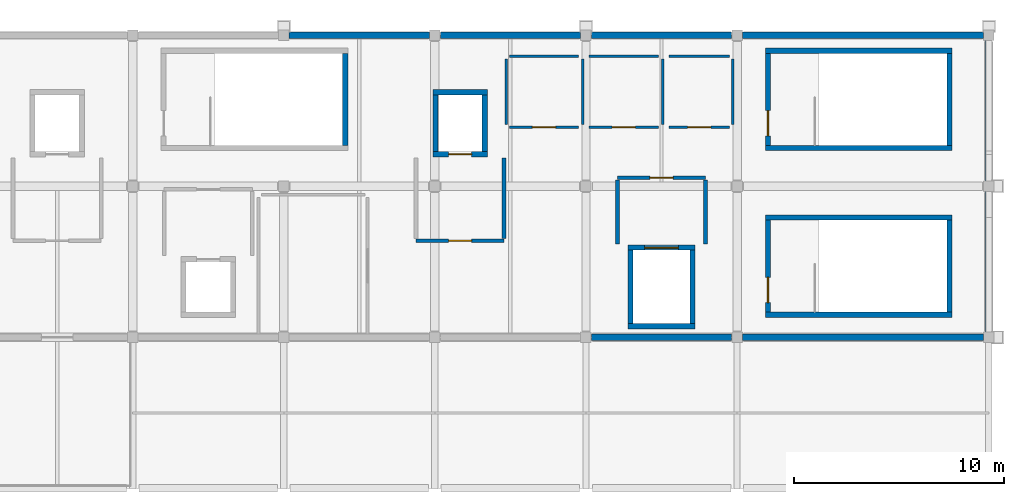
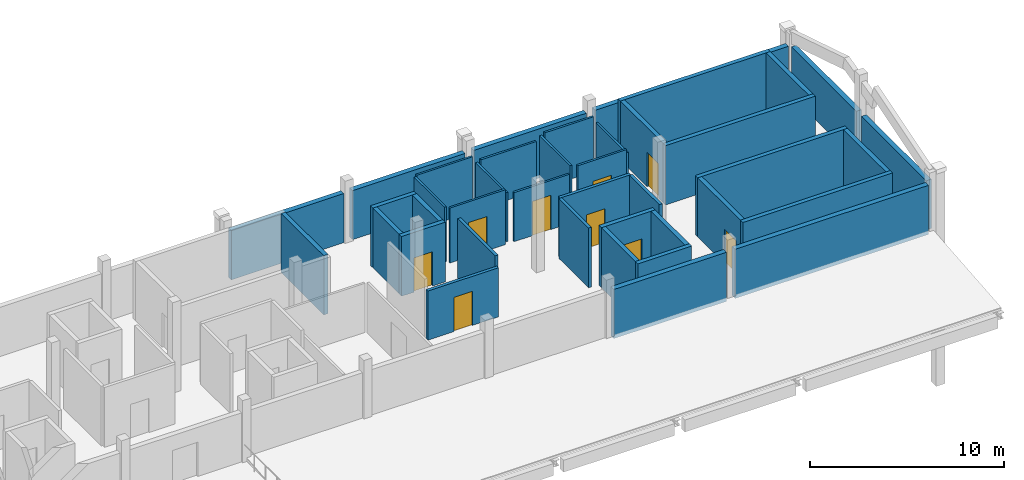
# One storey, part 6 of 8: 40 walls, 9 doors, 9 openings.
"""IFC4 building model written with IfcOpenShell, lengths in metres."""

from ifc_helpers import new_model, si_unit, direction, frame, frame_2d, origin, place, context, subcontext, project, spatial, rectangle, extrude, material, layer, layer_set, type_object, element, fill, save


model = new_model("IFC4")

# Units and contexts
model_context = context("Model", 3, precision=1e-05, world=origin(), true_north=direction((0.0, 1.0)))
body_context = subcontext(model_context, "Body", "Model", "MODEL_VIEW")
ifc_project = project(units=[si_unit("LENGTHUNIT", "METRE"), si_unit("AREAUNIT", "SQUARE_METRE"), si_unit("VOLUMEUNIT", "CUBIC_METRE"), si_unit("PLANEANGLEUNIT", "RADIAN"), si_unit("MASSUNIT", "GRAM", prefix="KILO")], contexts=[model_context])

# Site, building, storey
site_placement = place(None, origin())
site = spatial("IfcSite", under=ifc_project, at=site_placement, CompositionType="ELEMENT")
building_placement = place(site_placement, origin())
building = spatial("IfcBuilding", under=site, at=building_placement, Name="Cendralis Lancet Convention Centre", CompositionType="ELEMENT")
storey_placement = place(building_placement, frame((0.0, 0.0, 24.60009765625)))
storey = spatial("IfcBuildingStorey", under=building, at=storey_placement, Name="L05", CompositionType="ELEMENT", Elevation=24.60009765625)

# Walls
ifc_material_1 = material(Name="Buff sandstone ashlar and Concrete G40 (C40/50)", Category="masonry")
ifc_layer_1 = layer(ifc_material_1, 0.300048828125, Name="Buff sandstone ashlar and Concrete G40 (C40/50)")
ifc_layer_set_1 = layer_set([ifc_layer_1], Name="Buff sandstone ashlar and Concrete G40 (C40/50)")
wall_type_1 = type_object("IfcWallType", Name="ARC-EW-W300", PredefinedType="STANDARD", material=ifc_layer_set_1)
for number, where, z_axis, x_axis, name in (
    (1, (175.4580078125, 36.0, 0.0), (0.0, 0.0, 1.0), (1.0, 0.0, 0.0), "L05 V5 Exterior Wall EW-07 #0337"),
    (2, (182.657958984375, 36.0, 0.0), (0.0, 0.0, 1.0), (1.0, 0.0, 0.0), "L05 V5 Exterior Wall EW-07 #0341"),
    (3, (189.85791015625, 36.0, 0.0), (0.0, 0.0, 1.0), (1.0, 0.0, 0.0), "L05 V5 Exterior Wall EW-07 #0345"),
    (4, (196.5419921875, 21.60009765625, 0.0), (0.0, 0.0, 1.0), (-1.0, 0.0, 0.0), "L05 V5 Exterior Wall EW-07 #0346"),
):
    element("IfcWall", number, at=place(storey_placement, frame(where, z_axis=z_axis, x_axis=x_axis)), inside=storey, type_object=wall_type_1, Name=name, PredefinedType="STANDARD", context=body_context, shape_type="SweptSolid", body=[
        extrude(rectangle(XDim=6.68408203125, YDim=0.300048828125, at=frame_2d((3.342041015625, 0.0))), origin(), (0.0, 0.0, 1.0), 3.0849609375),
    ])
for number, where, z_axis, x_axis, name in (
    (5, (197.05810546875, 36.0, 0.0), (0.0, 0.0, 1.0), (1.0, 0.0, 0.0), "L05 V5 Exterior Wall EW-07 #0349"),
    (6, (208.5419921875, 21.60009765625, 0.0), (0.0, 0.0, 1.0), (-1.0, 0.0, 0.0), "L05 V5 Exterior Wall EW-07 #0350"),
):
    element("IfcWall", number, at=place(storey_placement, frame(where, z_axis=z_axis, x_axis=x_axis)), inside=storey, type_object=wall_type_1, Name=name, PredefinedType="STANDARD", context=body_context, shape_type="SweptSolid", body=[
        extrude(rectangle(XDim=11.48388671875, YDim=0.300048828125, at=frame_2d((5.741943359375, 0.0))), origin(), (0.0, 0.0, 1.0), 3.0849609375),
    ])
wall_1_placement = place(storey_placement, frame((208.800048828125, 28.5419921875, 0.0), z_axis=(0.0, 0.0, 1.0), x_axis=(0.0, -1.0, 0.0)))
element("IfcWall", 7, at=wall_1_placement, inside=storey, type_object=wall_type_1, Name="L05 V5 Exterior Wall EW-07 #0357", PredefinedType="STANDARD", context=body_context, shape_type="SweptSolid", body=[
    extrude(rectangle(XDim=6.68408203125, YDim=0.300048828125, at=frame_2d((3.342041015625, 0.0))), origin(), (0.0, 0.0, 1.0), 3.0849609375),
])
wall_2_placement = place(storey_placement, frame((208.800048828125, 35.741943359375, 0.0), z_axis=(0.0, 0.0, 1.0), x_axis=(0.0, -1.0, 0.0)))
element("IfcWall", 8, at=wall_2_placement, inside=storey, type_object=wall_type_1, Name="L05 V5 Exterior Wall EW-07 #0359", PredefinedType="STANDARD", context=body_context, shape_type="SweptSolid", body=[
    extrude(rectangle(XDim=6.683837890625, YDim=0.300048828125, at=frame_2d((3.341796875, 0.0))), origin(), (0.0, 0.0, 1.0), 3.0849609375),
])

# Wall, opening, door
ifc_material_2 = material(Name="Acoustic fire-rated gypsum board on steel studs", Category="steel")
ifc_layer_2 = layer(ifc_material_2, 0.1201171875, Name="Acoustic fire-rated gypsum board on steel studs")
ifc_layer_set_2 = layer_set([ifc_layer_2], Name="Acoustic fire-rated gypsum board on steel studs")
wall_type_2 = type_object("IfcWallType", Name="ARC-IW-P120", PredefinedType="PARTITIONING", material=ifc_layer_set_2)
wall_3_placement = place(storey_placement, frame((185.949951171875, 31.60009765625, 0.0), z_axis=(0.0, 0.0, 1.0), x_axis=(1.0, 0.0, 0.0)))
wall_3 = element("IfcWall", 9, at=wall_3_placement, inside=storey, type_object=wall_type_2, Name="L05 Interior Partition IW-05 #0448", PredefinedType="PARTITIONING", context=body_context, shape_type="SweptSolid", body=[
    extrude(rectangle(XDim=3.300048828125, YDim=0.1201171875, at=frame_2d((1.64990234375, 0.0))), origin(), (0.0, 0.0, 1.0), 3.449951171875),
])
opening_1_placement = place(wall_3_placement, frame((1.10009765625, 0.0, 0.0)))
opening_1 = element("IfcOpeningElement", 10, at=opening_1_placement, cuts=wall_3, Name="Opening FD-11", PredefinedType="OPENING", context=body_context, shape_type="SweptSolid", body=[
    extrude(rectangle(XDim=1.10009765625, YDim=2.14990234375, at=frame_2d((0.550048828125, 1.074951171875))), frame((0.0, 0.070068359375, 0.0), z_axis=(0.0, -1.0, 0.0), x_axis=(1.0, 0.0, 0.0)), (0.0, 0.0, 1.0), 0.14013671875),
])
ifc_material_3 = material(Name="Steel S355", Category="steel")
door_type_1 = type_object("IfcDoorType", Name="ARC-DR-FF11", OperationType="NOTDEFINED", PredefinedType="DOOR", material=ifc_material_3)
door_1_placement = place(opening_1_placement, origin())
door_1 = element("IfcDoor", 11, at=door_1_placement, inside=storey, type_object=door_type_1, Name="L05-D005 L05 Interior Door FD-11 #0154", OperationType="SINGLE_SWING_LEFT", OverallHeight=2.14990234375, OverallWidth=1.10009765625, PredefinedType="DOOR", context=body_context, shape_type="SweptSolid", body=[
    extrude(rectangle(XDim=1.10009765625, YDim=2.14990234375, at=frame_2d((0.550048828125, 1.074951171875))), frame((0.0, 0.02490234375, 0.0), z_axis=(0.0, -1.0, 0.0), x_axis=(1.0, 0.0, 0.0)), (0.0, 0.0, 1.0), 0.050048828125),
])
fill(opening_1, door_1)

# Walls
wall_4_placement = place(storey_placement, frame((185.949951171875, 35.0, 0.0), z_axis=(0.0, 0.0, 1.0), x_axis=(1.0, 0.0, 0.0)))
element("IfcWall", 12, at=wall_4_placement, inside=storey, type_object=wall_type_2, Name="L05 Interior Partition IW-05 #0449", PredefinedType="PARTITIONING", context=body_context, shape_type="SweptSolid", body=[
    extrude(rectangle(XDim=3.300048828125, YDim=0.1201171875, at=frame_2d((1.64990234375, 0.0))), origin(), (0.0, 0.0, 1.0), 3.449951171875),
])
wall_5_placement = place(storey_placement, frame((185.800048828125, 31.739990234375, 0.0), z_axis=(0.0, 0.0, 1.0), x_axis=(0.0, 1.0, 0.0)))
element("IfcWall", 13, at=wall_5_placement, inside=storey, type_object=wall_type_2, Name="L05 Interior Partition IW-05 #0450", PredefinedType="PARTITIONING", context=body_context, shape_type="SweptSolid", body=[
    extrude(rectangle(XDim=3.1201171875, YDim=0.1201171875, at=frame_2d((1.56005859375, 0.0))), origin(), (0.0, 0.0, 1.0), 3.449951171875),
])
wall_6_placement = place(storey_placement, frame((189.449951171875, 31.739990234375, 0.0), z_axis=(0.0, 0.0, 1.0), x_axis=(0.0, 1.0, 0.0)))
element("IfcWall", 14, at=wall_6_placement, inside=storey, type_object=wall_type_2, Name="L05 Interior Partition IW-05 #0451", PredefinedType="PARTITIONING", context=body_context, shape_type="SweptSolid", body=[
    extrude(rectangle(XDim=3.1201171875, YDim=0.1201171875, at=frame_2d((1.56005859375, 0.0))), origin(), (0.0, 0.0, 1.0), 3.0849609375),
])

# Wall, opening, door
wall_7_placement = place(storey_placement, frame((189.75, 31.60009765625, 0.0), z_axis=(0.0, 0.0, 1.0), x_axis=(1.0, 0.0, 0.0)))
wall_7 = element("IfcWall", 15, at=wall_7_placement, inside=storey, type_object=wall_type_2, Name="L05 Interior Partition IW-05 #0452", PredefinedType="PARTITIONING", context=body_context, shape_type="SweptSolid", body=[
    extrude(rectangle(XDim=3.300048828125, YDim=0.1201171875, at=frame_2d((1.64990234375, 0.0))), origin(), (0.0, 0.0, 1.0), 3.0849609375),
])
opening_2_placement = place(wall_7_placement, frame((1.10009765625, 0.0, 0.0)))
opening_2 = element("IfcOpeningElement", 16, at=opening_2_placement, cuts=wall_7, Name="Opening FD-11", PredefinedType="OPENING", context=body_context, shape_type="SweptSolid", body=[
    extrude(rectangle(XDim=1.10009765625, YDim=2.14990234375, at=frame_2d((0.550048828125, 1.074951171875))), frame((0.0, 0.070068359375, 0.0), z_axis=(0.0, -1.0, 0.0), x_axis=(1.0, 0.0, 0.0)), (0.0, 0.0, 1.0), 0.14013671875),
])
door_2_placement = place(opening_2_placement, frame((1.10009765625, 0.0, 0.0), z_axis=(0.0, 0.0, 1.0), x_axis=(-1.0, 0.0, 0.0)))
door_2 = element("IfcDoor", 17, at=door_2_placement, inside=storey, type_object=door_type_1, Name="L05-D006 L05 Interior Door FD-11 #0155", OperationType="SINGLE_SWING_RIGHT", OverallHeight=2.14990234375, OverallWidth=1.10009765625, PredefinedType="DOOR", context=body_context, shape_type="SweptSolid", body=[
    extrude(rectangle(XDim=1.10009765625, YDim=2.14990234375, at=frame_2d((0.550048828125, 1.074951171875))), frame((0.0, 0.02490234375, 0.0), z_axis=(0.0, -1.0, 0.0), x_axis=(1.0, 0.0, 0.0)), (0.0, 0.0, 1.0), 0.050048828125),
])
fill(opening_2, door_2)

# Walls
wall_8_placement = place(storey_placement, frame((189.75, 35.0, 0.0), z_axis=(0.0, 0.0, 1.0), x_axis=(1.0, 0.0, 0.0)))
element("IfcWall", 18, at=wall_8_placement, inside=storey, type_object=wall_type_2, Name="L05 Interior Partition IW-05 #0453", PredefinedType="PARTITIONING", context=body_context, shape_type="SweptSolid", body=[
    extrude(rectangle(XDim=3.300048828125, YDim=0.1201171875, at=frame_2d((1.64990234375, 0.0))), origin(), (0.0, 0.0, 1.0), 3.0849609375),
])
wall_9_placement = place(storey_placement, frame((193.25, 31.739990234375, 0.0), z_axis=(0.0, 0.0, 1.0), x_axis=(0.0, 1.0, 0.0)))
element("IfcWall", 19, at=wall_9_placement, inside=storey, type_object=wall_type_2, Name="L05 Interior Partition IW-05 #0454", PredefinedType="PARTITIONING", context=body_context, shape_type="SweptSolid", body=[
    extrude(rectangle(XDim=3.1201171875, YDim=0.1201171875, at=frame_2d((1.56005859375, 0.0))), origin(), (0.0, 0.0, 1.0), 3.449951171875),
])

# Wall, opening, door
wall_10_placement = place(storey_placement, frame((193.550048828125, 31.60009765625, 0.0), z_axis=(0.0, 0.0, 1.0), x_axis=(1.0, 0.0, 0.0)))
wall_10 = element("IfcWall", 20, at=wall_10_placement, inside=storey, type_object=wall_type_2, Name="L05 Interior Partition IW-05 #0455", PredefinedType="PARTITIONING", context=body_context, shape_type="SweptSolid", body=[
    extrude(rectangle(XDim=2.89990234375, YDim=0.1201171875, at=frame_2d((1.449951171875, 0.0))), origin(), (0.0, 0.0, 1.0), 3.449951171875),
])
opening_3_placement = place(wall_10_placement, frame((0.89990234375, 0.0, 0.0)))
opening_3 = element("IfcOpeningElement", 21, at=opening_3_placement, cuts=wall_10, Name="Opening FD-11", PredefinedType="OPENING", context=body_context, shape_type="SweptSolid", body=[
    extrude(rectangle(XDim=1.10009765625, YDim=2.14990234375, at=frame_2d((0.550048828125, 1.074951171875))), frame((0.0, 0.070068359375, 0.0), z_axis=(0.0, -1.0, 0.0), x_axis=(1.0, 0.0, 0.0)), (0.0, 0.0, 1.0), 0.14013671875),
])
door_3_placement = place(opening_3_placement, origin())
door_3 = element("IfcDoor", 22, at=door_3_placement, inside=storey, type_object=door_type_1, Name="L05-D007 L05 Interior Door FD-11 #0156", OperationType="SINGLE_SWING_LEFT", OverallHeight=2.14990234375, OverallWidth=1.10009765625, PredefinedType="DOOR", context=body_context, shape_type="SweptSolid", body=[
    extrude(rectangle(XDim=1.10009765625, YDim=2.14990234375, at=frame_2d((0.550048828125, 1.074951171875))), frame((0.0, 0.02490234375, 0.0), z_axis=(0.0, -1.0, 0.0), x_axis=(1.0, 0.0, 0.0)), (0.0, 0.0, 1.0), 0.050048828125),
])
fill(opening_3, door_3)

# Walls
wall_11_placement = place(storey_placement, frame((193.550048828125, 35.0, 0.0), z_axis=(0.0, 0.0, 1.0), x_axis=(1.0, 0.0, 0.0)))
element("IfcWall", 23, at=wall_11_placement, inside=storey, type_object=wall_type_2, Name="L05 Interior Partition IW-05 #0456", PredefinedType="PARTITIONING", context=body_context, shape_type="SweptSolid", body=[
    extrude(rectangle(XDim=2.89990234375, YDim=0.1201171875, at=frame_2d((1.449951171875, 0.0))), origin(), (0.0, 0.0, 1.0), 3.449951171875),
])
wall_12_placement = place(storey_placement, frame((196.60009765625, 31.739990234375, 0.0), z_axis=(0.0, 0.0, 1.0), x_axis=(0.0, 1.0, 0.0)))
element("IfcWall", 24, at=wall_12_placement, inside=storey, type_object=wall_type_2, Name="L05 Interior Partition IW-05 #0457", PredefinedType="PARTITIONING", context=body_context, shape_type="SweptSolid", body=[
    extrude(rectangle(XDim=3.1201171875, YDim=0.1201171875, at=frame_2d((1.56005859375, 0.0))), origin(), (0.0, 0.0, 1.0), 3.0849609375),
])

# Wall, opening, door
ifc_layer_3 = layer(ifc_material_2, 0.179931640625, Name="Acoustic fire-rated gypsum board on steel studs")
ifc_layer_set_3 = layer_set([ifc_layer_3], Name="Acoustic fire-rated gypsum board on steel studs")
wall_type_3 = type_object("IfcWallType", Name="ARC-IW-P180", PredefinedType="PARTITIONING", material=ifc_layer_set_3)
wall_13_placement = place(storey_placement, frame((185.699951171875, 26.199951171875, 0.0), z_axis=(0.0, 0.0, 1.0), x_axis=(-1.0, 0.0, 0.0)))
wall_13 = element("IfcWall", 25, at=wall_13_placement, inside=storey, type_object=wall_type_3, Name="L05 Firefighting Lift Lobby LF-02 Front Wall", PredefinedType="PARTITIONING", context=body_context, shape_type="SweptSolid", body=[
    extrude(rectangle(XDim=4.199951171875, YDim=0.179931640625, at=frame_2d((2.10009765625, 0.0))), origin(), (0.0, 0.0, 1.0), 3.0849609375),
])
opening_4_placement = place(wall_13_placement, frame((1.550048828125, 0.0, 0.0)))
opening_4 = element("IfcOpeningElement", 26, at=opening_4_placement, cuts=wall_13, Name="Opening FD-11", PredefinedType="OPENING", context=body_context, shape_type="SweptSolid", body=[
    extrude(rectangle(XDim=1.10009765625, YDim=2.14990234375, at=frame_2d((0.550048828125, 1.074951171875))), frame((0.0, 0.099853515625, 0.0), z_axis=(0.0, -1.0, 0.0), x_axis=(1.0, 0.0, 0.0)), (0.0, 0.0, 1.0), 0.199951171875),
])
door_4_placement = place(opening_4_placement, origin())
door_4 = element("IfcDoor", 27, at=door_4_placement, inside=storey, type_object=door_type_1, Name="L05-D014 L05 Lift Lobby LF-02 Fire Door", OperationType="SINGLE_SWING_LEFT", OverallHeight=2.14990234375, OverallWidth=1.10009765625, PredefinedType="DOOR", context=body_context, shape_type="SweptSolid", body=[
    extrude(rectangle(XDim=1.10009765625, YDim=2.14990234375, at=frame_2d((0.550048828125, 1.074951171875))), frame((0.0, 0.02490234375, 0.0), z_axis=(0.0, -1.0, 0.0), x_axis=(1.0, 0.0, 0.0)), (0.0, 0.0, 1.0), 0.050048828125),
])
fill(opening_4, door_4)

# Wall
wall_14_placement = place(storey_placement, frame((185.699951171875, 26.300048828125, 0.0), z_axis=(0.0, 0.0, 1.0), x_axis=(0.0, 1.0, 0.0)))
element("IfcWall", 28, at=wall_14_placement, inside=storey, type_object=wall_type_3, Name="L05 Lift Lobby LF-02 East Wall", PredefinedType="PARTITIONING", context=body_context, shape_type="SweptSolid", body=[
    extrude(rectangle(XDim=3.849853515625, YDim=0.179931640625, at=frame_2d((1.9248046875, 0.0))), origin(), (0.0, 0.0, 1.0), 3.75),
])

# Wall, opening, door
wall_15_placement = place(storey_placement, frame((191.10009765625, 29.199951171875, 0.0), z_axis=(0.0, 0.0, 1.0), x_axis=(1.0, 0.0, 0.0)))
wall_15 = element("IfcWall", 29, at=wall_15_placement, inside=storey, type_object=wall_type_3, Name="L05 Lift Lobby LG-04 Front Wall", PredefinedType="PARTITIONING", context=body_context, shape_type="SweptSolid", body=[
    extrude(rectangle(XDim=4.199951171875, YDim=0.179931640625, at=frame_2d((2.10009765625, 0.0))), origin(), (0.0, 0.0, 1.0), 3.75),
])
opening_5_placement = place(wall_15_placement, frame((1.550048828125, 0.0, 0.0)))
opening_5 = element("IfcOpeningElement", 30, at=opening_5_placement, cuts=wall_15, Name="Opening FD-11", PredefinedType="OPENING", context=body_context, shape_type="SweptSolid", body=[
    extrude(rectangle(XDim=1.10009765625, YDim=2.14990234375, at=frame_2d((0.550048828125, 1.074951171875))), frame((0.0, 0.099853515625, 0.0), z_axis=(0.0, -1.0, 0.0), x_axis=(1.0, 0.0, 0.0)), (0.0, 0.0, 1.0), 0.199951171875),
])
door_5_placement = place(opening_5_placement, origin())
door_5 = element("IfcDoor", 31, at=door_5_placement, inside=storey, type_object=door_type_1, Name="L05-D015 L05 Lift Lobby LG-04 Fire Door", OperationType="SINGLE_SWING_LEFT", OverallHeight=2.14990234375, OverallWidth=1.10009765625, PredefinedType="DOOR", context=body_context, shape_type="SweptSolid", body=[
    extrude(rectangle(XDim=1.10009765625, YDim=2.14990234375, at=frame_2d((0.550048828125, 1.074951171875))), frame((0.0, 0.02490234375, 0.0), z_axis=(0.0, -1.0, 0.0), x_axis=(1.0, 0.0, 0.0)), (0.0, 0.0, 1.0), 0.050048828125),
])
fill(opening_5, door_5)

# Walls
for number, where, z_axis, x_axis, name in (
    (32, (191.10009765625, 26.050048828125, 0.0), (0.0, 0.0, 1.0), (0.0, 1.0, 0.0), "L05 Lift Lobby LG-04 West Wall"),
    (33, (195.300048828125, 26.050048828125, 0.0), (0.0, 0.0, 1.0), (0.0, 1.0, 0.0), "L05 Lift Lobby LG-04 East Wall"),
):
    element("IfcWall", number, at=place(storey_placement, frame(where, z_axis=z_axis, x_axis=x_axis)), inside=storey, type_object=wall_type_3, Name=name, PredefinedType="PARTITIONING", context=body_context, shape_type="SweptSolid", body=[
        extrude(rectangle(XDim=3.050048828125, YDim=0.179931640625, at=frame_2d((1.52490234375, 0.0))), origin(), (0.0, 0.0, 1.0), 3.75),
    ])
ifc_material_4 = material(Name="Concrete G40 (C40/50)", Category="concrete")
ifc_layer_4 = layer(ifc_material_4, 0.25, Name="Concrete G40 (C40/50)")
ifc_layer_set_4 = layer_set([ifc_layer_4], Name="Concrete G40 (C40/50)")
wall_type_4 = type_object("IfcWallType", Name="STR-SW-CW250", PredefinedType="SHEAR", material=ifc_layer_set_4)
wall_16_placement = place(storey_placement, frame((178.125, 30.75, 0.0), z_axis=(0.0, 0.0, 1.0), x_axis=(0.0, 1.0, 0.0)))
element("IfcWall", 34, at=wall_16_placement, inside=storey, type_object=wall_type_4, Name="L05 Stair Core ST-14 East Shear Wall", PredefinedType="SHEAR", context=body_context, shape_type="SweptSolid", body=[
    extrude(rectangle(XDim=4.3798828125, YDim=0.25, at=frame_2d((2.18994140625, 0.0))), origin(), (0.0, 0.0, 1.0), 3.719970703125),
])

# Wall, opening, door
wall_17_placement = place(storey_placement, frame((198.27490234375, 22.800048828125, 0.0), z_axis=(0.0, 0.0, 1.0), x_axis=(0.0, 1.0, 0.0)))
wall_17 = element("IfcWall", 35, at=wall_17_placement, inside=storey, type_object=wall_type_4, Name="L05 Stair Core ST-15 West Shear Wall", PredefinedType="SHEAR", context=body_context, shape_type="SweptSolid", body=[
    extrude(rectangle(XDim=4.3798828125, YDim=0.25, at=frame_2d((2.18994140625, 0.0))), origin(), (0.0, 0.0, 1.0), 3.719970703125),
])
opening_6_placement = place(wall_17_placement, frame((0.449951171875, 0.0, 0.0)))
opening_6 = element("IfcOpeningElement", 36, at=opening_6_placement, cuts=wall_17, Name="Opening SD-12", PredefinedType="OPENING", context=body_context, shape_type="SweptSolid", body=[
    extrude(rectangle(XDim=1.199951171875, YDim=2.14990234375, at=frame_2d((0.60009765625, 1.074951171875))), frame((0.0, 0.135009765625, 0.0), z_axis=(0.0, -1.0, 0.0), x_axis=(1.0, 0.0, 0.0)), (0.0, 0.0, 1.0), 0.27001953125),
])
door_type_2 = type_object("IfcDoorType", Name="ARC-DR-ST12", OperationType="NOTDEFINED", PredefinedType="DOOR", material=ifc_material_3)
door_6_placement = place(opening_6_placement, frame((1.199951171875, 0.0, 0.0), z_axis=(0.0, 0.0, 1.0), x_axis=(-1.0, 0.0, 0.0)))
door_6 = element("IfcDoor", 37, at=door_6_placement, inside=storey, type_object=door_type_2, Name="L05-D020 L05 Exit Stair ST-15 Fire Door", OperationType="SINGLE_SWING_RIGHT", OverallHeight=2.14990234375, OverallWidth=1.199951171875, PredefinedType="DOOR", context=body_context, shape_type="SweptSolid", body=[
    extrude(rectangle(XDim=1.199951171875, YDim=2.14990234375, at=frame_2d((0.60009765625, 1.074951171875))), frame((0.0, 0.02490234375, 0.0), z_axis=(0.0, -1.0, 0.0), x_axis=(1.0, 0.0, 0.0)), (0.0, 0.0, 1.0), 0.050048828125),
])
fill(opening_6, door_6)

# Walls
wall_18_placement = place(storey_placement, frame((206.925048828125, 22.800048828125, 0.0), z_axis=(0.0, 0.0, 1.0), x_axis=(0.0, 1.0, 0.0)))
element("IfcWall", 38, at=wall_18_placement, inside=storey, type_object=wall_type_4, Name="L05 Stair Core ST-15 East Shear Wall", PredefinedType="SHEAR", context=body_context, shape_type="SweptSolid", body=[
    extrude(rectangle(XDim=4.3798828125, YDim=0.25, at=frame_2d((2.18994140625, 0.0))), origin(), (0.0, 0.0, 1.0), 3.719970703125),
])
for number, where, z_axis, x_axis, name in (
    (39, (198.14990234375, 22.675048828125, 0.0), (0.0, 0.0, 1.0), (1.0, 0.0, 0.0), "L05 Stair Core ST-15 South Shear Wall"),
    (40, (198.14990234375, 27.304931640625, 0.0), (0.0, 0.0, 1.0), (1.0, 0.0, 0.0), "L05 Stair Core ST-15 North Shear Wall"),
):
    element("IfcWall", number, at=place(storey_placement, frame(where, z_axis=z_axis, x_axis=x_axis)), inside=storey, type_object=wall_type_4, Name=name, PredefinedType="SHEAR", context=body_context, shape_type="SweptSolid", body=[
        extrude(rectangle(XDim=8.900146484375, YDim=0.25, at=frame_2d((4.4501953125, 0.0))), origin(), (0.0, 0.0, 1.0), 3.719970703125),
    ])

# Wall, opening, door
wall_19_placement = place(storey_placement, frame((198.27490234375, 30.75, 0.0), z_axis=(0.0, 0.0, 1.0), x_axis=(0.0, 1.0, 0.0)))
wall_19 = element("IfcWall", 41, at=wall_19_placement, inside=storey, type_object=wall_type_4, Name="L05 Stair Core ST-16 West Shear Wall", PredefinedType="SHEAR", context=body_context, shape_type="SweptSolid", body=[
    extrude(rectangle(XDim=4.3798828125, YDim=0.25, at=frame_2d((2.18994140625, 0.0))), origin(), (0.0, 0.0, 1.0), 3.719970703125),
])
opening_7_placement = place(wall_19_placement, frame((0.449951171875, 0.0, 0.0)))
opening_7 = element("IfcOpeningElement", 42, at=opening_7_placement, cuts=wall_19, Name="Opening SD-12", PredefinedType="OPENING", context=body_context, shape_type="SweptSolid", body=[
    extrude(rectangle(XDim=1.199951171875, YDim=2.14990234375, at=frame_2d((0.60009765625, 1.074951171875))), frame((0.0, 0.135009765625, 0.0), z_axis=(0.0, -1.0, 0.0), x_axis=(1.0, 0.0, 0.0)), (0.0, 0.0, 1.0), 0.27001953125),
])
door_7_placement = place(opening_7_placement, frame((1.199951171875, 0.0, 0.0), z_axis=(0.0, 0.0, 1.0), x_axis=(-1.0, 0.0, 0.0)))
door_7 = element("IfcDoor", 43, at=door_7_placement, inside=storey, type_object=door_type_2, Name="L05-D021 L05 Exit Stair ST-16 Fire Door", OperationType="SINGLE_SWING_LEFT", OverallHeight=2.14990234375, OverallWidth=1.199951171875, PredefinedType="DOOR", context=body_context, shape_type="SweptSolid", body=[
    extrude(rectangle(XDim=1.199951171875, YDim=2.14990234375, at=frame_2d((0.60009765625, 1.074951171875))), frame((0.0, 0.02490234375, 0.0), z_axis=(0.0, -1.0, 0.0), x_axis=(1.0, 0.0, 0.0)), (0.0, 0.0, 1.0), 0.050048828125),
])
fill(opening_7, door_7)

# Walls
wall_20_placement = place(storey_placement, frame((206.925048828125, 30.75, 0.0), z_axis=(0.0, 0.0, 1.0), x_axis=(0.0, 1.0, 0.0)))
element("IfcWall", 44, at=wall_20_placement, inside=storey, type_object=wall_type_4, Name="L05 Stair Core ST-16 East Shear Wall", PredefinedType="SHEAR", context=body_context, shape_type="SweptSolid", body=[
    extrude(rectangle(XDim=4.3798828125, YDim=0.25, at=frame_2d((2.18994140625, 0.0))), origin(), (0.0, 0.0, 1.0), 3.719970703125),
])
for number, where, z_axis, x_axis, name in (
    (45, (198.14990234375, 30.625, 0.0), (0.0, 0.0, 1.0), (1.0, 0.0, 0.0), "L05 Stair Core ST-16 South Shear Wall"),
    (46, (198.14990234375, 35.2548828125, 0.0), (0.0, 0.0, 1.0), (1.0, 0.0, 0.0), "L05 Stair Core ST-16 North Shear Wall"),
):
    element("IfcWall", number, at=place(storey_placement, frame(where, z_axis=z_axis, x_axis=x_axis)), inside=storey, type_object=wall_type_4, Name=name, PredefinedType="SHEAR", context=body_context, shape_type="SweptSolid", body=[
        extrude(rectangle(XDim=8.900146484375, YDim=0.25, at=frame_2d((4.4501953125, 0.0))), origin(), (0.0, 0.0, 1.0), 3.719970703125),
    ])

# Wall, opening, door
wall_21_placement = place(storey_placement, frame((182.300048828125, 30.324951171875, 0.0), z_axis=(0.0, 0.0, 1.0), x_axis=(1.0, 0.0, 0.0)))
wall_21 = element("IfcWall", 47, at=wall_21_placement, inside=storey, type_object=wall_type_4, Name="L05 Lift LF-02 South Shaft Wall", PredefinedType="SHEAR", context=body_context, shape_type="SweptSolid", body=[
    extrude(rectangle(XDim=2.599853515625, YDim=0.25, at=frame_2d((1.2998046875, 0.0))), origin(), (0.0, 0.0, 1.0), 3.75),
])
opening_8_placement = place(wall_21_placement, frame((0.75, 0.0, 0.0)))
opening_8 = element("IfcOpeningElement", 48, at=opening_8_placement, cuts=wall_21, Name="Opening LD-11", PredefinedType="OPENING", context=body_context, shape_type="SweptSolid", body=[
    extrude(rectangle(XDim=1.10009765625, YDim=2.14990234375, at=frame_2d((0.550048828125, 1.074951171875))), frame((0.0, 0.135009765625, 0.0), z_axis=(0.0, -1.0, 0.0), x_axis=(1.0, 0.0, 0.0)), (0.0, 0.0, 1.0), 0.27001953125),
])
ifc_material_5 = material(Name="Anodised bronze architectural aluminium", Category="aluminium")
door_type_3 = type_object("IfcDoorType", Name="ARC-DR-LD11", OperationType="NOTDEFINED", PredefinedType="DOOR", material=ifc_material_5)
door_8_placement = place(opening_8_placement, origin())
door_8 = element("IfcDoor", 49, at=door_8_placement, inside=storey, type_object=door_type_3, Name="L05-D009 L05 Lift LF-02 Sliding Landing Door", OperationType="SLIDING_TO_LEFT", OverallHeight=2.14990234375, OverallWidth=1.10009765625, PredefinedType="DOOR", context=body_context, shape_type="SweptSolid", body=[
    extrude(rectangle(XDim=1.10009765625, YDim=2.14990234375, at=frame_2d((0.550048828125, 1.074951171875))), frame((0.0, 0.02490234375, 0.0), z_axis=(0.0, -1.0, 0.0), x_axis=(1.0, 0.0, 0.0)), (0.0, 0.0, 1.0), 0.050048828125),
])
fill(opening_8, door_8)

# Walls
wall_22_placement = place(storey_placement, frame((182.300048828125, 33.27490234375, 0.0), z_axis=(0.0, 0.0, 1.0), x_axis=(1.0, 0.0, 0.0)))
element("IfcWall", 50, at=wall_22_placement, inside=storey, type_object=wall_type_4, Name="L05 Lift LF-02 North Shaft Wall", PredefinedType="SHEAR", context=body_context, shape_type="SweptSolid", body=[
    extrude(rectangle(XDim=2.599853515625, YDim=0.25, at=frame_2d((1.2998046875, 0.0))), origin(), (0.0, 0.0, 1.0), 3.75),
])
for number, where, z_axis, x_axis, name in (
    (51, (182.425048828125, 30.449951171875, 0.0), (0.0, 0.0, 1.0), (0.0, 1.0, 0.0), "L05 Lift LF-02 West Shaft Wall"),
    (52, (184.77490234375, 30.449951171875, 0.0), (0.0, 0.0, 1.0), (0.0, 1.0, 0.0), "L05 Lift LF-02 East Shaft Wall"),
):
    element("IfcWall", number, at=place(storey_placement, frame(where, z_axis=z_axis, x_axis=x_axis)), inside=storey, type_object=wall_type_4, Name=name, PredefinedType="SHEAR", context=body_context, shape_type="SweptSolid", body=[
        extrude(rectangle(XDim=2.699951171875, YDim=0.25, at=frame_2d((1.35009765625, 0.0))), origin(), (0.0, 0.0, 1.0), 3.75),
    ])
wall_23_placement = place(storey_placement, frame((191.60009765625, 22.125, 0.0), z_axis=(0.0, 0.0, 1.0), x_axis=(1.0, 0.0, 0.0)))
element("IfcWall", 53, at=wall_23_placement, inside=storey, type_object=wall_type_4, Name="L05 Lift LG-04 South Shaft Wall", PredefinedType="SHEAR", context=body_context, shape_type="SweptSolid", body=[
    extrude(rectangle(XDim=3.199951171875, YDim=0.25, at=frame_2d((1.60009765625, 0.0))), origin(), (0.0, 0.0, 1.0), 3.75),
])

# Wall, opening, door
wall_24_placement = place(storey_placement, frame((191.60009765625, 25.875, 0.0), z_axis=(0.0, 0.0, 1.0), x_axis=(1.0, 0.0, 0.0)))
wall_24 = element("IfcWall", 54, at=wall_24_placement, inside=storey, type_object=wall_type_4, Name="L05 Lift LG-04 North Shaft Wall", PredefinedType="SHEAR", context=body_context, shape_type="SweptSolid", body=[
    extrude(rectangle(XDim=3.199951171875, YDim=0.25, at=frame_2d((1.60009765625, 0.0))), origin(), (0.0, 0.0, 1.0), 3.75),
])
opening_9_placement = place(wall_24_placement, frame((0.800048828125, 0.0, 0.0)))
opening_9 = element("IfcOpeningElement", 55, at=opening_9_placement, cuts=wall_24, Name="Opening LD-16", PredefinedType="OPENING", context=body_context, shape_type="SweptSolid", body=[
    extrude(rectangle(XDim=1.60009765625, YDim=2.199951171875, at=frame_2d((0.800048828125, 1.10009765625))), frame((0.0, 0.135009765625, 0.0), z_axis=(0.0, -1.0, 0.0), x_axis=(1.0, 0.0, 0.0)), (0.0, 0.0, 1.0), 0.27001953125),
])
door_type_4 = type_object("IfcDoorType", Name="ARC-DR-LD16", OperationType="NOTDEFINED", PredefinedType="DOOR", material=ifc_material_3)
door_9_placement = place(opening_9_placement, origin())
door_9 = element("IfcDoor", 56, at=door_9_placement, inside=storey, type_object=door_type_4, Name="L05-D010 L05 Lift LG-04 Sliding Landing Door", OperationType="SLIDING_TO_LEFT", OverallHeight=2.199951171875, OverallWidth=1.60009765625, PredefinedType="DOOR", context=body_context, shape_type="SweptSolid", body=[
    extrude(rectangle(XDim=1.60009765625, YDim=2.199951171875, at=frame_2d((0.800048828125, 1.10009765625))), frame((0.0, 0.02490234375, 0.0), z_axis=(0.0, -1.0, 0.0), x_axis=(1.0, 0.0, 0.0)), (0.0, 0.0, 1.0), 0.050048828125),
])
fill(opening_9, door_9)

# Walls
for number, where, z_axis, x_axis, name in (
    (57, (191.72509765625, 22.25, 0.0), (0.0, 0.0, 1.0), (0.0, 1.0, 0.0), "L05 Lift LG-04 West Shaft Wall"),
    (58, (194.675048828125, 22.25, 0.0), (0.0, 0.0, 1.0), (0.0, 1.0, 0.0), "L05 Lift LG-04 East Shaft Wall"),
):
    element("IfcWall", number, at=place(storey_placement, frame(where, z_axis=z_axis, x_axis=x_axis)), inside=storey, type_object=wall_type_4, Name=name, PredefinedType="SHEAR", context=body_context, shape_type="SweptSolid", body=[
        extrude(rectangle(XDim=3.5, YDim=0.25, at=frame_2d((1.75, 0.0))), origin(), (0.0, 0.0, 1.0), 3.75),
    ])

save(model, "model.ifc")
